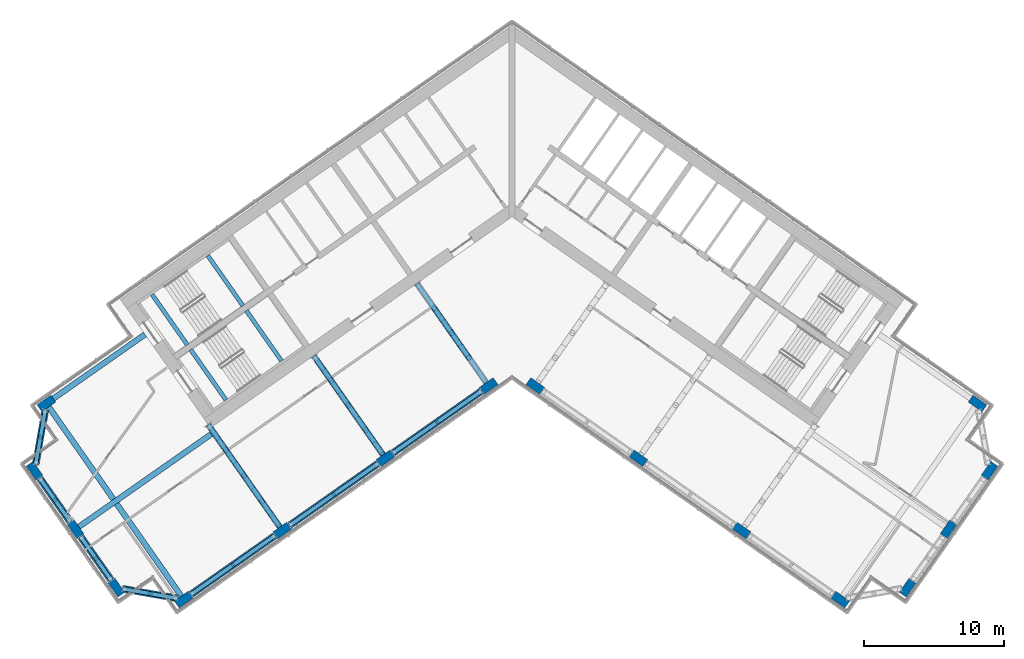
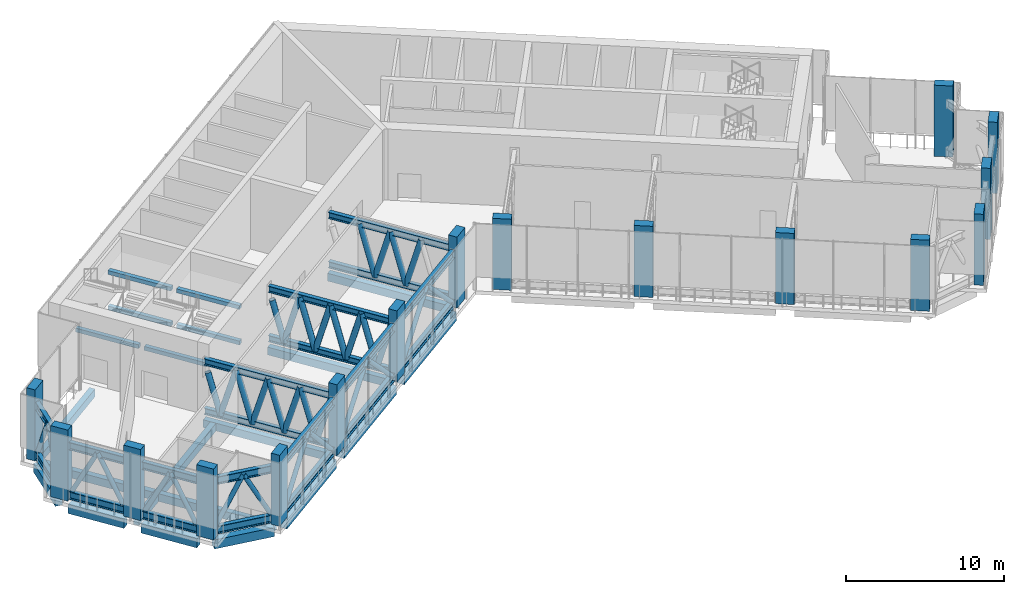
# One storey, part 1 of 19: 54 members, 19 beams, 16 columns.
"""IFC4 building model written with IfcOpenShell, lengths in metres."""

import ifcopenshell
import ifcopenshell.guid

model = None  # the IFC model being written
_history = None  # IfcOwnerHistory: only IFC2X3 demands one
_inside = {}  # id of a spatial element -> (the spatial element, [elements in it])
_under = {}  # id of a project, library or spatial element -> (it, [spatial elements below it])
_declared = {}  # id of a project -> (the project, [libraries it declares])
_typed = {}  # id of a type object -> (the type object, [elements of that type])
_made_of = {}  # id of a material, layer set ... -> (it, [elements and type objects made of it])


def new_model(schema):
    """Start an empty IFC model of exactly this schema.

    Asked for "IFC4X3", IfcOpenShell would pick the latest addendum, in which some entities
    have other attributes; the version numbers below select the first issue.
    IFC2X3 requires an IfcOwnerHistory on every rooted entity: one is made here for all.
    """
    global model, _history
    if schema == "IFC4X3":
        model = ifcopenshell.file(schema_version=(4, 3, 0, 0))
    else:
        model = ifcopenshell.file(schema=schema)
    _inside.clear()
    _under.clear()
    _declared.clear()
    _typed.clear()
    _made_of.clear()
    _history = None
    if model.schema == "IFC2X3":
        org = make("IfcOrganization", Name="unknown")
        user = make(
            "IfcPersonAndOrganization",
            ThePerson=make("IfcPerson", FamilyName="unknown"),
            TheOrganization=org,
        )
        app = make(
            "IfcApplication",
            ApplicationDeveloper=org,
            Version="unknown",
            ApplicationFullName="unknown",
            ApplicationIdentifier="unknown",
        )
        _history = make(
            "IfcOwnerHistory",
            OwningUser=user,
            OwningApplication=app,
            ChangeAction="ADDED",
            CreationDate=0,
        )
    return model


def make(cls, **values):
    """One entity of the class cls with the attributes given. An attribute that is None is left unset."""
    return model.create_entity(
        cls, **{name: value for name, value in values.items() if value is not None}
    )


def rooted(cls, **values):
    """An entity with a GlobalId (a new one), such as an element, a storey or a relation."""
    return make(cls, GlobalId=ifcopenshell.guid.new(), OwnerHistory=_history, **values)


def si_unit(unit_type, name, prefix=None):
    """IfcSIUnit, for example si_unit("LENGTHUNIT", "METRE", prefix="MILLI")."""
    return make("IfcSIUnit", UnitType=unit_type, Prefix=prefix, Name=name)


def assignment(units):
    """IfcUnitAssignment: the units of a project."""
    return None if units is None else make("IfcUnitAssignment", Units=units)


def point(xyz):
    """IfcCartesianPoint."""
    return None if xyz is None else make("IfcCartesianPoint", Coordinates=xyz)


def direction(xyz):
    """IfcDirection."""
    return None if xyz is None else make("IfcDirection", DirectionRatios=xyz)


def frame(location, z_axis=None, x_axis=None):
    """IfcAxis2Placement3D, a coordinate frame: its origin and axes. An axis left out is left unset."""
    return make(
        "IfcAxis2Placement3D",
        Location=point(location),
        Axis=direction(z_axis),
        RefDirection=direction(x_axis),
    )


def frame_2d(location, x_axis=None):
    """IfcAxis2Placement2D, a coordinate frame in the plane: its origin and x axis."""
    return make(
        "IfcAxis2Placement2D", Location=point(location), RefDirection=direction(x_axis)
    )


def origin():
    """The frame at (0, 0, 0) with its axes left unset."""
    return frame((0.0, 0.0, 0.0))


def origin_2d():
    """The frame at (0, 0) in the plane with its x axis left unset."""
    return frame_2d((0.0, 0.0))


def place(relative_to, where):
    """IfcLocalPlacement: puts the frame where relative to a parent placement (None: the world)."""
    return make(
        "IfcLocalPlacement", PlacementRelTo=relative_to, RelativePlacement=where
    )


def context(
    kind, dimensions, precision=None, world=None, true_north=None, identifier=None
):
    """IfcGeometricRepresentationContext, for example the 3D "Model" context."""
    return make(
        "IfcGeometricRepresentationContext",
        ContextIdentifier=identifier,
        ContextType=kind,
        CoordinateSpaceDimension=dimensions,
        Precision=precision,
        WorldCoordinateSystem=world,
        TrueNorth=true_north,
    )


def subcontext(parent, identifier, kind, view, scale=None):
    """IfcGeometricRepresentationSubContext, for example "Body" below "Model"."""
    return make(
        "IfcGeometricRepresentationSubContext",
        ContextIdentifier=identifier,
        ContextType=kind,
        ParentContext=parent,
        TargetScale=scale,
        TargetView=view,
    )


def project(units=None, contexts=None):
    """IfcProject with its units and contexts."""
    return rooted(
        "IfcProject",
        Name="project",
        RepresentationContexts=contexts,
        UnitsInContext=assignment(units),
    )


def spatial(cls, under=None, at=None, **own):
    """A site, building, storey or space (cls), placed at a placement, below another one or the project."""
    s = rooted(cls, ObjectPlacement=at, **own)
    if under is not None:
        _under.setdefault(under.id(), (under, []))[1].append(s)
    return s


def profile(cls, at=None, kind="AREA", **sizes):
    """A parametric profile (cls). Its sizes go by their IFC names, for example OverallWidth=200.0."""
    return make(cls, ProfileType=kind, Position=at, **sizes)


def rectangle(**sizes):
    """IfcRectangleProfileDef."""
    return profile("IfcRectangleProfileDef", **sizes)


def hollow_circle(**sizes):
    """IfcCircleHollowProfileDef."""
    return profile("IfcCircleHollowProfileDef", **sizes)


def i_section(**sizes):
    """IfcIShapeProfileDef."""
    return profile("IfcIShapeProfileDef", **sizes)


def extrude(swept, where, along, depth):
    """IfcExtrudedAreaSolid: the profile swept, set in the frame where, extruded along a direction by depth."""
    return make(
        "IfcExtrudedAreaSolid",
        SweptArea=swept,
        Position=where,
        ExtrudedDirection=direction(along),
        Depth=depth,
    )


def shape(context_of_items, identifier, shape_type, items):
    """IfcShapeRepresentation: the items that make up one representation, for example the "Body"."""
    return make(
        "IfcShapeRepresentation",
        ContextOfItems=context_of_items,
        RepresentationIdentifier=identifier,
        RepresentationType=shape_type,
        Items=items,
    )


def material(Name=None, Category=None):
    """IfcMaterial."""
    return make("IfcMaterial", Name=Name, Category=Category)


def material_profile(
    of_material, cross_section, Name=None, Category=None, Priority=None
):
    """IfcMaterialProfile: a cross section and its material."""
    return make(
        "IfcMaterialProfile",
        Name=Name,
        Material=of_material,
        Profile=cross_section,
        Priority=Priority,
        Category=Category,
    )


def profile_set(profiles, Name=None, composite=None):
    """IfcMaterialProfileSet."""
    return make(
        "IfcMaterialProfileSet",
        Name=Name,
        MaterialProfiles=profiles,
        CompositeProfile=composite,
    )


def made_of(thing, what):
    """Note that an element or type object is made of a material, layer set ...; save() writes the relation."""
    if what is not None:
        _made_of.setdefault(what.id(), (what, []))[1].append(thing)
    return thing


def type_object(cls, material=None, **own):
    """A type object (cls), such as IfcWallType, which elements share."""
    return made_of(rooted(cls, **own), material)


def element(
    cls,
    number,
    at=None,
    inside=None,
    cuts=None,
    type_object=None,
    material=None,
    context=None,
    identifier="Body",
    shape_type=None,
    held_by="IfcProductDefinitionShape",
    body=None,
    shapes=None,
    **own,
):
    """One element of the class cls, such as IfcWall. Its Tag is "e" and its number.

    at: its placement. inside: the storey or other place that contains it. cuts: it is an
    opening in that element (IfcRelVoidsElement). A single representation is given by context,
    identifier, shape_type and body (its items); several are given by shapes. held_by: the class
    of the entity that holds the representations. save() writes the other relations.
    """
    e = rooted(cls, Tag="e%d" % number, ObjectPlacement=at, **own)
    if body is not None:
        shapes = [shape(context, identifier, shape_type, body)]
    if shapes is not None:
        e.Representation = make(held_by, Representations=shapes)
    if inside is not None:
        _inside.setdefault(inside.id(), (inside, []))[1].append(e)
    if cuts is not None:
        rooted(
            "IfcRelVoidsElement", RelatingBuildingElement=cuts, RelatedOpeningElement=e
        )
    if type_object is not None:
        _typed.setdefault(type_object.id(), (type_object, []))[1].append(e)
    return made_of(e, material)


def aggregate(whole, parts):
    """IfcRelAggregates: a whole, such as a stair, and the parts it consists of."""
    return rooted("IfcRelAggregates", RelatingObject=whole, RelatedObjects=parts)


def save(model, path):
    """Write the relations noted so far, then the file.

    IfcRelAggregates (storeys below a building ...), IfcRelContainedInSpatialStructure (elements
    in a storey), IfcRelDefinesByType, IfcRelAssociatesMaterial and IfcRelDeclares: one each for
    every whole, place, type object, material and project.
    """
    for whole, parts in _under.values():
        aggregate(whole, parts)
    for where, things in _inside.values():
        rooted(
            "IfcRelContainedInSpatialStructure",
            RelatedElements=things,
            RelatingStructure=where,
        )
    for kind, things in _typed.values():
        rooted("IfcRelDefinesByType", RelatedObjects=things, RelatingType=kind)
    for what, things in _made_of.values():
        rooted("IfcRelAssociatesMaterial", RelatedObjects=things, RelatingMaterial=what)
    for by, libraries in _declared.values():
        rooted("IfcRelDeclares", RelatingContext=by, RelatedDefinitions=libraries)
    model.write(path)


model = new_model("IFC4")

# Units and contexts
model_context = context("Model", 3, precision=1e-05, world=origin(), true_north=direction((0.0, 1.0)))
body_context = subcontext(model_context, "Body", "Model", "MODEL_VIEW")
ifc_project = project(units=[si_unit("LENGTHUNIT", "METRE"), si_unit("AREAUNIT", "SQUARE_METRE"), si_unit("VOLUMEUNIT", "CUBIC_METRE"), si_unit("PLANEANGLEUNIT", "RADIAN"), si_unit("MASSUNIT", "GRAM", prefix="KILO")], contexts=[model_context])

# Site, building, storey
site_placement = place(None, origin())
site = spatial("IfcSite", under=ifc_project, at=site_placement, CompositionType="ELEMENT")
building_placement = place(site_placement, origin())
building = spatial("IfcBuilding", under=site, at=building_placement, Name="Tel Ilan Convention Tower", CompositionType="ELEMENT")
storey_placement = place(building_placement, frame((0.0, 0.0, 213.89990234375)))
storey = spatial("IfcBuildingStorey", under=building, at=storey_placement, Name="L50", CompositionType="ELEMENT", Elevation=213.89990234375)

# Columns
ifc_material_1 = material(Name="Concrete C50/60", Category="concrete")
ifc_material_profile_1 = material_profile(ifc_material_1, rectangle(XDim=1.199951171875, YDim=0.60009765625, at=origin_2d()), Name="RC 600x1200")
ifc_profile_set_1 = profile_set([ifc_material_profile_1], Name="Concrete C50/60")
column_type = type_object("IfcColumnType", Name="Column RC 600x1200 C50/60", PredefinedType="COLUMN", material=ifc_profile_set_1)
for number, where, z_axis, x_axis, name in (
    (1, (-1.665283203125, -13.312744140625, 0.0), (0.0, 0.0, 1.0), (-0.819152044289, -0.573576436351, 0.0), "L50 column W-F1"),
    (2, (-9.03759765625, -18.474853515625, 0.0), (0.0, 0.0, 1.0), (-0.819152044289, -0.573576436351, 0.0), "L50 column W-F2"),
    (3, (-16.409912109375, -23.63720703125, 0.0), (0.0, 0.0, 1.0), (-0.819152044289, -0.573576436351, 0.0), "L50 column W-F3"),
    (4, (-23.45458984375, -28.56982421875, 0.0), (0.0, 0.0, 1.0), (-0.819152044289, -0.573576436351, 0.0), "L50 column W-FC"),
    (5, (-33.262939453125, -14.5625, 0.0), (0.0, 0.0, 1.0), (-0.819152044289, -0.573576436351, 0.0), "L50 column W-BC"),
    (6, (-28.259521484375, -27.72265625, 0.0), (0.0, 0.0, 1.0), (-0.573576436351, 0.819152044289, 0.0), "L50 column W-E1"),
    (7, (-31.184814453125, -23.544921875, 0.0), (0.0, 0.0, 1.0), (-0.573576436351, 0.819152044289, 0.0), "L50 column W-E2"),
    (8, (-34.110107421875, -19.3671875, 0.0), (0.0, 0.0, 1.0), (-0.573576436351, 0.819152044289, 0.0), "L50 column W-E3"),
    (9, (1.665283203125, -13.312744140625, 0.0), (0.0, 0.0, 1.0), (0.819152044289, -0.573576436351, 0.0), "L50 column E-F1"),
    (10, (9.03759765625, -18.474853515625, 0.0), (0.0, 0.0, 1.0), (0.819152044289, -0.573576436351, 0.0), "L50 column E-F2"),
    (11, (16.409912109375, -23.63720703125, 0.0), (0.0, 0.0, 1.0), (0.819152044289, -0.573576436351, 0.0), "L50 column E-F3"),
    (12, (23.45458984375, -28.56982421875, 0.0), (0.0, 0.0, 1.0), (0.819152044289, -0.573576436351, 0.0), "L50 column E-FC"),
    (13, (33.262939453125, -14.5625, 0.0), (0.0, 0.0, 1.0), (0.819152044289, -0.573576436351, 0.0), "L50 column E-BC"),
    (14, (28.259521484375, -27.72265625, 0.0), (0.0, 0.0, 1.0), (0.573576436351, 0.819152044289, 0.0), "L50 column E-E1"),
    (15, (31.184814453125, -23.544921875, 0.0), (0.0, 0.0, 1.0), (0.573576436351, 0.819152044289, 0.0), "L50 column E-E2"),
    (16, (34.110107421875, -19.3671875, 0.0), (0.0, 0.0, 1.0), (0.573576436351, 0.819152044289, 0.0), "L50 column E-E3"),
):
    element("IfcColumn", number, at=place(storey_placement, frame(where, z_axis=z_axis, x_axis=x_axis)), inside=storey, type_object=column_type, Name=name, PredefinedType="COLUMN", context=body_context, shape_type="SweptSolid", body=[
        extrude(rectangle(XDim=1.199951171875, YDim=0.60009765625, at=origin_2d()), origin(), (0.0, 0.0, 1.0), 5.5),
    ])

# Beams
ifc_material_2 = material(Name="Concrete C40/50", Category="concrete")
ifc_material_profile_2 = material_profile(ifc_material_2, rectangle(XDim=0.39990234375, YDim=0.60009765625, at=origin_2d()), Name="RC 400x600")
ifc_profile_set_2 = profile_set([ifc_material_profile_2], Name="Concrete C40/50")
beam_type_1 = type_object("IfcBeamType", Name="Beam RC 400x600 Concrete C40/50", PredefinedType="BEAM", material=ifc_profile_set_2)
beam_1_placement = place(storey_placement, frame((-32.771484375, -14.21826171875, -0.579833984375), z_axis=(0.819151624752, 0.573577035512, 0.0), x_axis=(-0.573577035512, 0.819151624752, 0.0)))
element("IfcBeam", 17, at=beam_1_placement, inside=storey, type_object=beam_type_1, Name="L50 beam W-W-BC-core", PredefinedType="BEAM", context=body_context, shape_type="SweptSolid", body=[
    extrude(rectangle(XDim=0.39990234375, YDim=0.60009765625, at=origin_2d()), origin(), (0.0, 0.0, 1.0), 8.0),
])
for number, where, z_axis, x_axis, name in (
    (18, (-1.83740234375, -13.06689453125, -0.579833984375), (-0.573574099654, 0.819153680457, 0.0), (-0.819153680457, -0.573574099654, 0.0), "L50 beam W-W-F1-core"),
    (19, (-9.209716796875, -18.229248046875, -0.579833984375), (-0.573574099654, 0.819153680457, 0.0), (-0.819153680457, -0.573574099654, 0.0), "L50 beam W-W-F2-core"),
):
    element("IfcBeam", number, at=place(storey_placement, frame(where, z_axis=z_axis, x_axis=x_axis)), inside=storey, type_object=beam_type_1, Name=name, PredefinedType="BEAM", context=body_context, shape_type="SweptSolid", body=[
        extrude(rectangle(XDim=0.39990234375, YDim=0.60009765625, at=origin_2d()), origin(), (0.0, 0.0, 1.0), 8.64990234375),
    ])
beam_2_placement = place(storey_placement, frame((-16.58203125, -23.391357421875, -0.579833984375), z_axis=(-0.573584999642, 0.819146048141, 0.0), x_axis=(-0.819146048141, -0.573584999642, 0.0)))
element("IfcBeam", 20, at=beam_2_placement, inside=storey, type_object=beam_type_1, Name="L50 beam W-W-F3-core", PredefinedType="BEAM", context=body_context, shape_type="SweptSolid", body=[
    extrude(rectangle(XDim=0.39990234375, YDim=0.60009765625, at=origin_2d()), origin(), (0.0, 0.0, 1.0), 8.949951171875),
])
beam_3_placement = place(storey_placement, frame((-21.477783203125, -16.748046875, -0.579833984375), z_axis=(-0.819160415691, -0.573564480564, 0.0), x_axis=(0.573564480564, -0.819160415691, 0.0)))
element("IfcBeam", 21, at=beam_3_placement, inside=storey, type_object=beam_type_1, Name="L50 beam W-core-end", PredefinedType="BEAM", context=body_context, shape_type="SweptSolid", body=[
    extrude(rectangle(XDim=0.39990234375, YDim=0.60009765625, at=origin_2d()), origin(), (0.0, 0.0, 1.0), 11.550048828125),
])
beam_4_placement = place(storey_placement, frame((-23.626708984375, -28.32421875, -0.579833984375), z_axis=(-0.573577531157, 0.819151277697, 0.0), x_axis=(-0.819151277697, -0.573577531157, 0.0)))
element("IfcBeam", 22, at=beam_4_placement, inside=storey, type_object=beam_type_1, Name="L50 beam W-W-FC-W-BC", PredefinedType="BEAM", context=body_context, shape_type="SweptSolid", body=[
    extrude(rectangle(XDim=0.39990234375, YDim=0.60009765625, at=origin_2d()), origin(), (0.0, 0.0, 1.0), 16.500244140625),
])
ifc_material_3 = material(Name="Concrete C40/50", Category="concrete")
ifc_material_profile_3 = material_profile(ifc_material_3, rectangle(XDim=0.5, YDim=0.699951171875, at=origin_2d()), Name="RC 500x700")
ifc_profile_set_3 = profile_set([ifc_material_profile_3], Name="Concrete C40/50")
beam_type_2 = type_object("IfcBeamType", Name="Beam RC 500x700 Concrete C40/50", PredefinedType="BEAM", material=ifc_profile_set_3)
for number, where, z_axis, x_axis, name in (
    (23, (-2.15673828125, -13.656982421875, -0.6298828125), (-0.819153977895, -0.573573674866, 0.0), (0.573573674866, -0.819153977895, 0.0), "L50 beam W-W-F1-W-F2"),
    (24, (-9.529052734375, -18.819091796875, -0.6298828125), (-0.819153977895, -0.573573674866, 0.0), (0.573573674866, -0.819153977895, 0.0), "L50 beam W-W-F2-W-F3"),
):
    element("IfcBeam", number, at=place(storey_placement, frame(where, z_axis=z_axis, x_axis=x_axis)), inside=storey, type_object=beam_type_2, Name=name, PredefinedType="BEAM", context=body_context, shape_type="SweptSolid", body=[
        extrude(rectangle(XDim=0.5, YDim=0.699951171875, at=origin_2d()), origin(), (0.0, 0.0, 1.0), 7.800048828125),
    ])
beam_5_placement = place(storey_placement, frame((-16.901611328125, -23.981201171875, -0.6298828125), z_axis=(-0.819148211634, -0.573581909911, 0.0), x_axis=(0.573581909911, -0.819148211634, 0.0)))
element("IfcBeam", 25, at=beam_5_placement, inside=storey, type_object=beam_type_2, Name="L50 beam W-W-F3-W-FC", PredefinedType="BEAM", context=body_context, shape_type="SweptSolid", body=[
    extrude(rectangle(XDim=0.5, YDim=0.699951171875, at=origin_2d()), origin(), (0.0, 0.0, 1.0), 7.39990234375),
])
beam_6_placement = place(storey_placement, frame((-23.87255859375, -28.49609375, -0.6298828125), z_axis=(-0.984815252405, 0.173605641124, 0.0), x_axis=(-0.173605641124, -0.984815252405, 0.0)))
element("IfcBeam", 26, at=beam_6_placement, inside=storey, type_object=beam_type_2, Name="L50 beam W-W-FC-W-E1", PredefinedType="BEAM", context=body_context, shape_type="SweptSolid", body=[
    extrude(rectangle(XDim=0.5, YDim=0.699951171875, at=origin_2d()), origin(), (0.0, 0.0, 1.0), 4.030517578125),
])
for number, where, z_axis, x_axis, name in (
    (27, (-28.603759765625, -27.231201171875, -0.6298828125), (-0.573609383536, 0.819128973434, 0.0), (-0.819128973434, -0.573609383536, 0.0), "L50 beam W-W-E1-W-E2"),
    (28, (-31.529052734375, -23.053466796875, -0.6298828125), (-0.573609383536, 0.819128973434, 0.0), (-0.819128973434, -0.573609383536, 0.0), "L50 beam W-W-E2-W-E3"),
):
    element("IfcBeam", number, at=place(storey_placement, frame(where, z_axis=z_axis, x_axis=x_axis)), inside=storey, type_object=beam_type_2, Name=name, PredefinedType="BEAM", context=body_context, shape_type="SweptSolid", body=[
        extrude(rectangle(XDim=0.5, YDim=0.699951171875, at=origin_2d()), origin(), (0.0, 0.0, 1.0), 3.89990234375),
    ])
beam_7_placement = place(storey_placement, frame((-34.036376953125, -18.949462890625, -0.6298828125), z_axis=(0.173605641124, 0.984815252405, 0.0), x_axis=(-0.984815252405, 0.173605641124, 0.0)))
element("IfcBeam", 29, at=beam_7_placement, inside=storey, type_object=beam_type_2, Name="L50 beam W-W-E3-W-BC", PredefinedType="BEAM", context=body_context, shape_type="SweptSolid", body=[
    extrude(rectangle(XDim=0.5, YDim=0.699951171875, at=origin_2d()), origin(), (0.0, 0.0, 1.0), 4.030517578125),
])

# Members
ifc_material_4 = material(Name="Steel S355", Category="steel")
ifc_material_profile_4 = material_profile(ifc_material_4, i_section(OverallWidth=0.300048828125, OverallDepth=0.60009765625, WebThickness=0.015380859375, FlangeThickness=0.030029296875, FilletRadius=0.027099609375, at=origin_2d()), Name="HEB 600")
ifc_profile_set_4 = profile_set([ifc_material_profile_4], Name="Steel S355")
member_type_1 = type_object("IfcMemberType", Name="Belt Truss Chord HEB 600 Steel S355", PredefinedType="CHORD", material=ifc_profile_set_4)
for number, where, z_axis, x_axis, name in (
    (30, (-2.17724609375, -13.671142578125, 0.35009765625), (-0.819144593602, -0.573587076888, 0.0), (0.573587076888, -0.819144593602, 0.0), "L50 W-F1-W-F2 belt member"),
    (31, (-2.17724609375, -13.671142578125, 4.170166015625), (-0.819144593602, -0.573587076888, 0.0), (0.573587076888, -0.819144593602, 0.0), "L50 W-F1-W-F2 belt member"),
    (32, (-9.549560546875, -18.83349609375, 0.35009765625), (-0.819159394801, -0.573565938589, 0.0), (0.573565938589, -0.819159394801, 0.0), "L50 W-F2-W-F3 belt member"),
    (33, (-9.549560546875, -18.83349609375, 4.170166015625), (-0.819159394801, -0.573565938589, 0.0), (0.573565938589, -0.819159394801, 0.0), "L50 W-F2-W-F3 belt member"),
):
    element("IfcMember", number, at=place(storey_placement, frame(where, z_axis=z_axis, x_axis=x_axis)), inside=storey, type_object=member_type_1, Name=name, PredefinedType="CHORD", context=body_context, shape_type="SweptSolid", body=[
        extrude(i_section(OverallWidth=0.300048828125, OverallDepth=0.60009765625, WebThickness=0.015380859375, FlangeThickness=0.030029296875, FilletRadius=0.027099609375, at=origin_2d()), origin(), (0.0, 0.0, 1.0), 7.75),
    ])
for number, where, z_axis, x_axis, name in (
    (34, (-16.922119140625, -23.99560546875, 0.35009765625), (-0.819149205436, -0.573580490632, 0.0), (0.573580490632, -0.819149205436, 0.0), "L50 W-F3-W-FC belt member"),
    (35, (-16.922119140625, -23.99560546875, 4.170166015625), (-0.819149205436, -0.573580490632, 0.0), (0.573580490632, -0.819149205436, 0.0), "L50 W-F3-W-FC belt member"),
):
    element("IfcMember", number, at=place(storey_placement, frame(where, z_axis=z_axis, x_axis=x_axis)), inside=storey, type_object=member_type_1, Name=name, PredefinedType="CHORD", context=body_context, shape_type="SweptSolid", body=[
        extrude(i_section(OverallWidth=0.300048828125, OverallDepth=0.60009765625, WebThickness=0.015380859375, FlangeThickness=0.030029296875, FilletRadius=0.027099609375, at=origin_2d()), origin(), (0.0, 0.0, 1.0), 7.35009765625),
    ])
for number, where, z_axis, x_axis, name in (
    (36, (-23.897216796875, -28.491943359375, 0.35009765625), (-0.984808864855, 0.173641871973, 0.0), (-0.173641871973, -0.984808864855, 0.0), "L50 W-FC-W-E1 belt member"),
    (37, (-23.897216796875, -28.491943359375, 4.170166015625), (-0.984808864855, 0.173641871973, 0.0), (-0.173641871973, -0.984808864855, 0.0), "L50 W-FC-W-E1 belt member"),
):
    element("IfcMember", number, at=place(storey_placement, frame(where, z_axis=z_axis, x_axis=x_axis)), inside=storey, type_object=member_type_1, Name=name, PredefinedType="CHORD", context=body_context, shape_type="SweptSolid", body=[
        extrude(i_section(OverallWidth=0.300048828125, OverallDepth=0.60009765625, WebThickness=0.015380859375, FlangeThickness=0.030029296875, FilletRadius=0.027099609375, at=origin_2d()), origin(), (0.0, 0.0, 1.0), 3.98046875),
    ])
for number, where, z_axis, x_axis, name in (
    (38, (-28.6181640625, -27.210693359375, 0.35009765625), (-0.573564480564, 0.819160415691, 0.0), (-0.819160415691, -0.573564480564, 0.0), "L50 W-E1-W-E2 belt member"),
    (39, (-28.6181640625, -27.210693359375, 4.170166015625), (-0.573564480564, 0.819160415691, 0.0), (-0.819160415691, -0.573564480564, 0.0), "L50 W-E1-W-E2 belt member"),
):
    element("IfcMember", number, at=place(storey_placement, frame(where, z_axis=z_axis, x_axis=x_axis)), inside=storey, type_object=member_type_1, Name=name, PredefinedType="CHORD", context=body_context, shape_type="SweptSolid", body=[
        extrude(i_section(OverallWidth=0.300048828125, OverallDepth=0.60009765625, WebThickness=0.015380859375, FlangeThickness=0.030029296875, FilletRadius=0.027099609375, at=origin_2d()), origin(), (0.0, 0.0, 1.0), 3.85009765625),
    ])
for number, where, z_axis, x_axis, name in (
    (40, (-31.54345703125, -23.032958984375, 0.35009765625), (-0.573594275463, 0.819139552919, 0.0), (-0.819139552919, -0.573594275463, 0.0), "L50 W-E2-W-E3 belt member"),
    (41, (-31.54345703125, -23.032958984375, 4.170166015625), (-0.573594275463, 0.819139552919, 0.0), (-0.819139552919, -0.573594275463, 0.0), "L50 W-E2-W-E3 belt member"),
):
    element("IfcMember", number, at=place(storey_placement, frame(where, z_axis=z_axis, x_axis=x_axis)), inside=storey, type_object=member_type_1, Name=name, PredefinedType="CHORD", context=body_context, shape_type="SweptSolid", body=[
        extrude(i_section(OverallWidth=0.300048828125, OverallDepth=0.60009765625, WebThickness=0.015380859375, FlangeThickness=0.030029296875, FilletRadius=0.027099609375, at=origin_2d()), origin(), (0.0, 0.0, 1.0), 3.849853515625),
    ])
for number, where, z_axis, x_axis, name in (
    (42, (-34.031982421875, -18.9248046875, 0.35009765625), (0.173641871973, 0.984808864855, 0.0), (-0.984808864855, 0.173641871973, 0.0), "L50 W-E3-W-BC belt member"),
    (43, (-34.031982421875, -18.9248046875, 4.170166015625), (0.173641871973, 0.984808864855, 0.0), (-0.984808864855, 0.173641871973, 0.0), "L50 W-E3-W-BC belt member"),
):
    element("IfcMember", number, at=place(storey_placement, frame(where, z_axis=z_axis, x_axis=x_axis)), inside=storey, type_object=member_type_1, Name=name, PredefinedType="CHORD", context=body_context, shape_type="SweptSolid", body=[
        extrude(i_section(OverallWidth=0.300048828125, OverallDepth=0.60009765625, WebThickness=0.015380859375, FlangeThickness=0.030029296875, FilletRadius=0.027099609375, at=origin_2d()), origin(), (0.0, 0.0, 1.0), 3.98046875),
    ])
ifc_material_5 = material(Name="Steel S355", Category="steel")
ifc_material_profile_5 = material_profile(ifc_material_5, hollow_circle(Radius=0.161865234375, WallThickness=0.012451171875, at=origin_2d()), Name="CHS 323.9x12.5")
ifc_profile_set_5 = profile_set([ifc_material_profile_5], Name="Steel S355")
member_type_2 = type_object("IfcMemberType", Name="Belt Truss Diagonal CHS 323.9x12.5 Steel S355", PredefinedType="BRACE", material=ifc_profile_set_5)
for number, where, z_axis, x_axis, name in (
    (44, (-2.28173828125, -13.744384765625, 0.49951171875), (-0.585206289234, -0.409746792621, 0.699743642328), (0.57355853134, -0.819164581221, 0.0), "L50 W-F1-W-F2 belt member"),
    (45, (-5.3515625, -15.893798828125, 4.170166015625), (-0.585175685725, -0.409757952527, -0.699762700619), (0.573589141395, -0.819143147974, 0.0), "L50 W-F1-W-F2 belt member"),
    (46, (-9.654296875, -18.906494140625, 0.49951171875), (-0.585175685725, -0.409757952527, 0.699762700619), (0.573589141395, -0.819143147974, 0.0), "L50 W-F2-W-F3 belt member"),
    (47, (-12.723876953125, -21.055908203125, 4.170166015625), (-0.585175685725, -0.409757952527, -0.699762700619), (0.573589141395, -0.819143147974, 0.0), "L50 W-F2-W-F3 belt member"),
):
    element("IfcMember", number, at=place(storey_placement, frame(where, z_axis=z_axis, x_axis=x_axis)), inside=storey, type_object=member_type_2, Name=name, PredefinedType="BRACE", context=body_context, shape_type="SweptSolid", body=[
        extrude(hollow_circle(Radius=0.161865234375, WallThickness=0.012451171875, at=origin_2d()), origin(), (0.0, 0.0, 1.0), 5.24560546875),
    ])
for number, where, z_axis, x_axis, name in (
    (48, (-17.02880859375, -24.0703125, 0.510498046875), (-0.56989883806, -0.399068151296, 0.718303504794), (0.573596389959, -0.81913807226, 0.0), "L50 W-F3-W-FC belt member"),
    (49, (-19.932373046875, -26.103515625, 4.170166015625), (-0.569931192273, -0.399057253174, -0.718283888698), (0.573564029795, -0.819160731313, 0.0), "L50 W-F3-W-FC belt member"),
):
    element("IfcMember", number, at=place(storey_placement, frame(where, z_axis=z_axis, x_axis=x_axis)), inside=storey, type_object=member_type_2, Name=name, PredefinedType="BRACE", context=body_context, shape_type="SweptSolid", body=[
        extrude(hollow_circle(Radius=0.161865234375, WallThickness=0.012451171875, at=origin_2d()), origin(), (0.0, 0.0, 1.0), 5.094970703125),
    ])
for number, where, z_axis, x_axis, name in (
    (50, (-24.04736328125, -28.46533203125, 0.686767578125), (-0.459525670021, 0.08101983687, 0.884461386735), (-0.173633759065, -0.984810295292, 0.0), "L50 W-FC-W-E1 belt member"),
    (51, (-25.857177734375, -28.146240234375, 4.170166015625), (-0.459525670021, 0.08101983687, -0.884461386735), (-0.173633759065, -0.984810295292, 0.0), "L50 W-FC-W-E1 belt member"),
):
    element("IfcMember", number, at=place(storey_placement, frame(where, z_axis=z_axis, x_axis=x_axis)), inside=storey, type_object=member_type_2, Name=name, PredefinedType="BRACE", context=body_context, shape_type="SweptSolid", body=[
        extrude(hollow_circle(Radius=0.161865234375, WallThickness=0.012451171875, at=origin_2d()), origin(), (0.0, 0.0, 1.0), 3.9384765625),
    ])
for number, where, z_axis, x_axis, name in (
    (52, (-28.7060546875, -27.085205078125, 0.699462890625), (-0.260815717049, 0.37245962956, 0.890645263889), (-0.81913481161, -0.57360104638, 0.0), "L50 W-E1-W-E2 belt member"),
    (53, (-29.722412109375, -25.6337890625, 4.170166015625), (-0.260705016642, 0.372417836798, -0.890695149382), (-0.819218970513, -0.573480843927, 0.0), "L50 W-E1-W-E2 belt member"),
    (54, (-31.63134765625, -22.907470703125, 0.699462890625), (-0.260757326531, 0.372465715095, 0.890659815945), (-0.819199550934, -0.57350858385, 0.0), "L50 W-E2-W-E3 belt member"),
    (55, (-32.6474609375, -21.4560546875, 4.170166015625), (-0.260821802868, 0.372405668087, -0.890666046016), (-0.819089470001, -0.573665791322, 0.0), "L50 W-E2-W-E3 belt member"),
):
    element("IfcMember", number, at=place(storey_placement, frame(where, z_axis=z_axis, x_axis=x_axis)), inside=storey, type_object=member_type_2, Name=name, PredefinedType="BRACE", context=body_context, shape_type="SweptSolid", body=[
        extrude(hollow_circle(Radius=0.161865234375, WallThickness=0.012451171875, at=origin_2d()), origin(), (0.0, 0.0, 1.0), 3.896728515625),
    ])
for number, where, z_axis, x_axis, name in (
    (56, (-34.005615234375, -18.774658203125, 0.686767578125), (0.08101983687, 0.459525670021, 0.884461386735), (-0.984810295292, 0.173633759065, 0.0), "L50 W-E3-W-BC belt member"),
    (57, (-33.6865234375, -16.96484375, 4.170166015625), (0.08101983687, 0.459525670021, -0.884461386735), (-0.984810295292, 0.173633759065, 0.0), "L50 W-E3-W-BC belt member"),
):
    element("IfcMember", number, at=place(storey_placement, frame(where, z_axis=z_axis, x_axis=x_axis)), inside=storey, type_object=member_type_2, Name=name, PredefinedType="BRACE", context=body_context, shape_type="SweptSolid", body=[
        extrude(hollow_circle(Radius=0.161865234375, WallThickness=0.012451171875, at=origin_2d()), origin(), (0.0, 0.0, 1.0), 3.9384765625),
    ])

# Beams
ifc_material_6 = material(Name="Concrete C40/50", Category="concrete")
ifc_material_profile_6 = material_profile(ifc_material_6, rectangle(XDim=0.300048828125, YDim=0.300048828125, at=origin_2d()), Name="RC 300x300")
ifc_profile_set_6 = profile_set([ifc_material_profile_6], Name="Concrete C40/50")
beam_type_3 = type_object("IfcBeamType", Name="Landing Beam RC 300x300 Concrete C40/50", PredefinedType="BEAM", material=ifc_profile_set_6)
for number, where, z_axis, x_axis, name in (
    (58, (-19.21435546875, -7.59423828125, 1.025146484375), (-0.573570334442, 0.819156316858, 0.0), (-0.819156316858, -0.573570334442, 0.0), "S1 landing beam L50.1"),
    (59, (-23.190673828125, -10.378662109375, 2.400146484375), (-0.573570334442, 0.819156316858, 0.0), (-0.819156316858, -0.573570334442, 0.0), "S1 landing beam L50.2"),
    (60, (-19.21435546875, -7.59423828125, 3.775146484375), (-0.573570334442, 0.819156316858, 0.0), (-0.819156316858, -0.573570334442, 0.0), "S1 landing beam L50.3"),
):
    element("IfcBeam", number, at=place(storey_placement, frame(where, z_axis=z_axis, x_axis=x_axis)), inside=storey, type_object=beam_type_3, Name=name, PredefinedType="BEAM", context=body_context, shape_type="SweptSolid", body=[
        extrude(rectangle(XDim=0.300048828125, YDim=0.300048828125, at=origin_2d()), origin(), (0.0, 0.0, 1.0), 4.39990234375),
    ])
beam_8_placement = place(storey_placement, frame((-16.461181640625, -11.526123046875, 1.025146484375), z_axis=(-0.573596405612, 0.819138061299, 0.0), x_axis=(-0.819138061299, -0.573596405612, 0.0)))
element("IfcBeam", 61, at=beam_8_placement, inside=storey, type_object=beam_type_3, Name="S2 landing beam L50.1", PredefinedType="BEAM", context=body_context, shape_type="SweptSolid", body=[
    extrude(rectangle(XDim=0.300048828125, YDim=0.300048828125, at=origin_2d()), origin(), (0.0, 0.0, 1.0), 4.399658203125),
])
beam_9_placement = place(storey_placement, frame((-20.4375, -14.310546875, 2.400146484375), z_axis=(-0.573570334442, 0.819156316858, 0.0), x_axis=(-0.819156316858, -0.573570334442, 0.0)))
element("IfcBeam", 62, at=beam_9_placement, inside=storey, type_object=beam_type_3, Name="S2 landing beam L50.2", PredefinedType="BEAM", context=body_context, shape_type="SweptSolid", body=[
    extrude(rectangle(XDim=0.300048828125, YDim=0.300048828125, at=origin_2d()), origin(), (0.0, 0.0, 1.0), 4.39990234375),
])
beam_10_placement = place(storey_placement, frame((-16.461181640625, -11.526123046875, 3.775146484375), z_axis=(-0.573596405612, 0.819138061299, 0.0), x_axis=(-0.819138061299, -0.573596405612, 0.0)))
element("IfcBeam", 63, at=beam_10_placement, inside=storey, type_object=beam_type_3, Name="S2 landing beam L50.3", PredefinedType="BEAM", context=body_context, shape_type="SweptSolid", body=[
    extrude(rectangle(XDim=0.300048828125, YDim=0.300048828125, at=origin_2d()), origin(), (0.0, 0.0, 1.0), 4.399658203125),
])

# Members
ifc_material_7 = material(Name="Steel S355", Category="steel")
ifc_material_profile_7 = material_profile(ifc_material_7, i_section(OverallWidth=0.300048828125, OverallDepth=0.5, WebThickness=0.014404296875, FlangeThickness=0.028076171875, FilletRadius=0.027099609375, at=origin_2d()), Name="HEB 500")
ifc_profile_set_7 = profile_set([ifc_material_profile_7], Name="Steel S355")
member_type_3 = type_object("IfcMemberType", Name="Outrigger Chord HEB 500 Steel S355", PredefinedType="CHORD", material=ifc_profile_set_7)
for number, where, z_axis, x_axis, name in (
    (64, (-1.83740234375, -13.06689453125, 0.35009765625), (-0.573568788328, 0.819157399439, 0.0), (-0.819157399439, -0.573568788328, 0.0), "L50 W-F1 outrigger member"),
    (65, (-1.83740234375, -13.06689453125, 4.170166015625), (-0.573568788328, 0.819157399439, 0.0), (-0.819157399439, -0.573568788328, 0.0), "L50 W-F1 outrigger member"),
):
    element("IfcMember", number, at=place(storey_placement, frame(where, z_axis=z_axis, x_axis=x_axis)), inside=storey, type_object=member_type_3, Name=name, PredefinedType="CHORD", context=body_context, shape_type="SweptSolid", body=[
        extrude(i_section(OverallWidth=0.300048828125, OverallDepth=0.5, WebThickness=0.014404296875, FlangeThickness=0.028076171875, FilletRadius=0.027099609375, at=origin_2d()), origin(), (0.0, 0.0, 1.0), 8.619873046875),
    ])
for number, where, z_axis, x_axis, name in (
    (66, (-9.209716796875, -18.229248046875, 0.35009765625), (-0.573587793123, 0.819144092075, 0.0), (-0.819144092075, -0.573587793123, 0.0), "L50 W-F2 outrigger member"),
    (67, (-9.209716796875, -18.229248046875, 4.170166015625), (-0.573587793123, 0.819144092075, 0.0), (-0.819144092075, -0.573587793123, 0.0), "L50 W-F2 outrigger member"),
):
    element("IfcMember", number, at=place(storey_placement, frame(where, z_axis=z_axis, x_axis=x_axis)), inside=storey, type_object=member_type_3, Name=name, PredefinedType="CHORD", context=body_context, shape_type="SweptSolid", body=[
        extrude(i_section(OverallWidth=0.300048828125, OverallDepth=0.5, WebThickness=0.014404296875, FlangeThickness=0.028076171875, FilletRadius=0.027099609375, at=origin_2d()), origin(), (0.0, 0.0, 1.0), 8.6201171875),
    ])
for number, where, z_axis, x_axis, name in (
    (68, (-16.58203125, -23.391357421875, 0.35009765625), (-0.573585409399, 0.81914576122, 0.0), (-0.81914576122, -0.573585409399, 0.0), "L50 W-F3 outrigger member"),
    (69, (-16.58203125, -23.391357421875, 4.170166015625), (-0.573585409399, 0.81914576122, 0.0), (-0.81914576122, -0.573585409399, 0.0), "L50 W-F3 outrigger member"),
):
    element("IfcMember", number, at=place(storey_placement, frame(where, z_axis=z_axis, x_axis=x_axis)), inside=storey, type_object=member_type_3, Name=name, PredefinedType="CHORD", context=body_context, shape_type="SweptSolid", body=[
        extrude(i_section(OverallWidth=0.300048828125, OverallDepth=0.5, WebThickness=0.014404296875, FlangeThickness=0.028076171875, FilletRadius=0.027099609375, at=origin_2d()), origin(), (0.0, 0.0, 1.0), 8.920166015625),
    ])
ifc_material_8 = material(Name="Steel S355", Category="steel")
ifc_material_profile_8 = material_profile(ifc_material_8, hollow_circle(Radius=0.203125, WallThickness=0.01611328125, at=origin_2d()), Name="CHS 406.4x16")
ifc_profile_set_8 = profile_set([ifc_material_profile_8], Name="Steel S355")
member_type_4 = type_object("IfcMemberType", Name="Outrigger Diagonal CHS 406.4x16 Steel S355", PredefinedType="BRACE", material=ifc_profile_set_8)
for number, where, z_axis, x_axis, name in (
    (70, (-3.07763671875, -11.295654296875, 4.170166015625), (-0.156255311617, 0.223098886481, -0.962190814985), (-0.819083401876, -0.573674455393, 0.0), "L50 W-F1 outrigger member"),
    (71, (-3.697998046875, -10.409912109375, 0.35009765625), (-0.156195318535, 0.223101029782, 0.962200058708), (-0.819189486731, -0.573522959288, 0.0), "L50 W-F1 outrigger member"),
    (72, (-4.318115234375, -9.524169921875, 4.170166015625), (-0.156195318535, 0.223101029782, -0.962200058708), (-0.819189486731, -0.573522959288, 0.0), "L50 W-F1 outrigger member"),
    (73, (-4.938232421875, -8.638427734375, 0.35009765625), (-0.156195318535, 0.223101029782, 0.962200058708), (-0.819189486731, -0.573522959288, 0.0), "L50 W-F1 outrigger member"),
    (74, (-9.209716796875, -18.229248046875, 4.170166015625), (-0.156195318535, 0.223101029782, -0.962200058708), (-0.819189486731, -0.573522959288, 0.0), "L50 W-F2 outrigger member"),
    (75, (-9.829833984375, -17.343505859375, 0.35009765625), (-0.156255311617, 0.223098886481, 0.962190814985), (-0.819083401876, -0.573674455393, 0.0), "L50 W-F2 outrigger member"),
    (76, (-10.4501953125, -16.457763671875, 4.170166015625), (-0.156195318535, 0.223101029782, -0.962200058708), (-0.819189486731, -0.573522959288, 0.0), "L50 W-F2 outrigger member"),
    (77, (-11.0703125, -15.572021484375, 0.35009765625), (-0.156195318535, 0.223101029782, 0.962200058708), (-0.819189486731, -0.573522959288, 0.0), "L50 W-F2 outrigger member"),
):
    element("IfcMember", number, at=place(storey_placement, frame(where, z_axis=z_axis, x_axis=x_axis)), inside=storey, type_object=member_type_4, Name=name, PredefinedType="BRACE", context=body_context, shape_type="SweptSolid", body=[
        extrude(hollow_circle(Radius=0.203125, WallThickness=0.01611328125, at=origin_2d()), origin(), (0.0, 0.0, 1.0), 3.97021484375),
    ])
member_1_placement = place(storey_placement, frame((-11.6904296875, -14.686279296875, 4.170166015625), z_axis=(-0.156197461194, 0.223042595177, -0.962213257991), x_axis=(-0.819115195216, -0.573629058684, 0.0)))
element("IfcMember", 78, at=member_1_placement, inside=storey, type_object=member_type_4, Name="L50 W-F2 outrigger member", PredefinedType="BRACE", context=body_context, shape_type="SweptSolid", body=[
    extrude(hollow_circle(Radius=0.203125, WallThickness=0.01611328125, at=origin_2d()), origin(), (0.0, 0.0, 1.0), 3.969970703125),
])
member_2_placement = place(storey_placement, frame((-12.310546875, -13.80078125, 0.35009765625), z_axis=(-0.156253167674, 0.223157318178, 0.962177612988), x_axis=(-0.819157681794, -0.573568385075, 0.0)))
element("IfcMember", 79, at=member_2_placement, inside=storey, type_object=member_type_4, Name="L50 W-F2 outrigger member", PredefinedType="BRACE", context=body_context, shape_type="SweptSolid", body=[
    extrude(hollow_circle(Radius=0.203125, WallThickness=0.01611328125, at=origin_2d()), origin(), (0.0, 0.0, 1.0), 3.97021484375),
])
member_3_placement = place(storey_placement, frame((-12.930908203125, -12.914794921875, 4.170166015625), z_axis=(-0.156197461194, 0.223042595177, -0.962213257991), x_axis=(-0.819115195216, -0.573629058684, 0.0)))
element("IfcMember", 80, at=member_3_placement, inside=storey, type_object=member_type_4, Name="L50 W-F2 outrigger member", PredefinedType="BRACE", context=body_context, shape_type="SweptSolid", body=[
    extrude(hollow_circle(Radius=0.203125, WallThickness=0.01611328125, at=origin_2d()), origin(), (0.0, 0.0, 1.0), 3.969970703125),
])
member_4_placement = place(storey_placement, frame((-13.551025390625, -12.029296875, 0.35009765625), z_axis=(-0.156246395106, 0.223108591209, 0.962190012703), x_axis=(-0.819110508783, -0.57363575063, 0.0)))
element("IfcMember", 81, at=member_4_placement, inside=storey, type_object=member_type_4, Name="L50 W-F2 outrigger member", PredefinedType="BRACE", context=body_context, shape_type="SweptSolid", body=[
    extrude(hollow_circle(Radius=0.203125, WallThickness=0.01611328125, at=origin_2d()), origin(), (0.0, 0.0, 1.0), 3.121826171875),
])
for number, where, z_axis, x_axis, name in (
    (82, (-16.58203125, -23.391357421875, 4.170166015625), (-0.161247304426, 0.230186813812, -0.959694398005), (-0.819037072618, -0.573740597899, 0.0), "L50 W-F3 outrigger member"),
    (83, (-17.223876953125, -22.47509765625, 0.35009765625), (-0.161185288192, 0.230247173467, 0.959690336505), (-0.819211415764, -0.573491635756, 0.0), "L50 W-F3 outrigger member"),
    (84, (-17.865478515625, -21.55859375, 4.170166015625), (-0.161185288192, 0.230247173467, -0.959690336505), (-0.819211415764, -0.573491635756, 0.0), "L50 W-F3 outrigger member"),
    (85, (-18.507080078125, -20.64208984375, 0.35009765625), (-0.161185288192, 0.230247173467, 0.959690336505), (-0.819211415764, -0.573491635756, 0.0), "L50 W-F3 outrigger member"),
    (86, (-19.148681640625, -19.7255859375, 4.170166015625), (-0.161245027634, 0.230244896819, -0.959680847236), (-0.81910889168, -0.57363805973, 0.0), "L50 W-F3 outrigger member"),
    (87, (-19.79052734375, -18.80908203125, 0.35009765625), (-0.161187564186, 0.23018908995, 0.959703887676), (-0.819139624372, -0.573594173421, 0.0), "L50 W-F3 outrigger member"),
    (88, (-20.43212890625, -17.892822265625, 4.170166015625), (-0.161245027634, 0.230244896819, -0.959680847236), (-0.81910889168, -0.57363805973, 0.0), "L50 W-F3 outrigger member"),
):
    element("IfcMember", number, at=place(storey_placement, frame(where, z_axis=z_axis, x_axis=x_axis)), inside=storey, type_object=member_type_4, Name=name, PredefinedType="BRACE", context=body_context, shape_type="SweptSolid", body=[
        extrude(hollow_circle(Radius=0.203125, WallThickness=0.01611328125, at=origin_2d()), origin(), (0.0, 0.0, 1.0), 3.98046875),
    ])
member_5_placement = place(storey_placement, frame((-21.073974609375, -16.976318359375, 0.35009765625), z_axis=(-0.161172149456, 0.230245927795, 0.959692841993), x_axis=(-0.819231920519, -0.573462344363, 0.0)))
element("IfcMember", 89, at=member_5_placement, inside=storey, type_object=member_type_4, Name="L50 W-F3 outrigger member", PredefinedType="BRACE", context=body_context, shape_type="SweptSolid", body=[
    extrude(hollow_circle(Radius=0.203125, WallThickness=0.01611328125, at=origin_2d()), origin(), (0.0, 0.0, 1.0), 3.159912109375),
])

save(model, "model.ifc")
